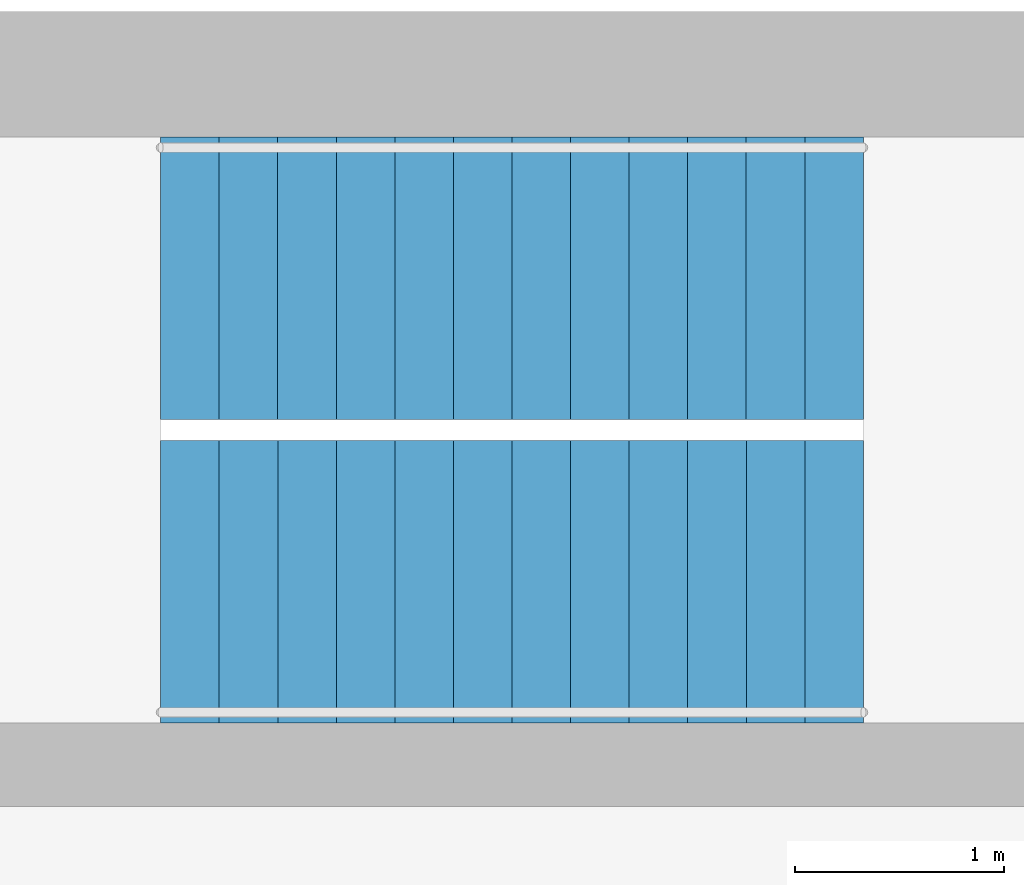
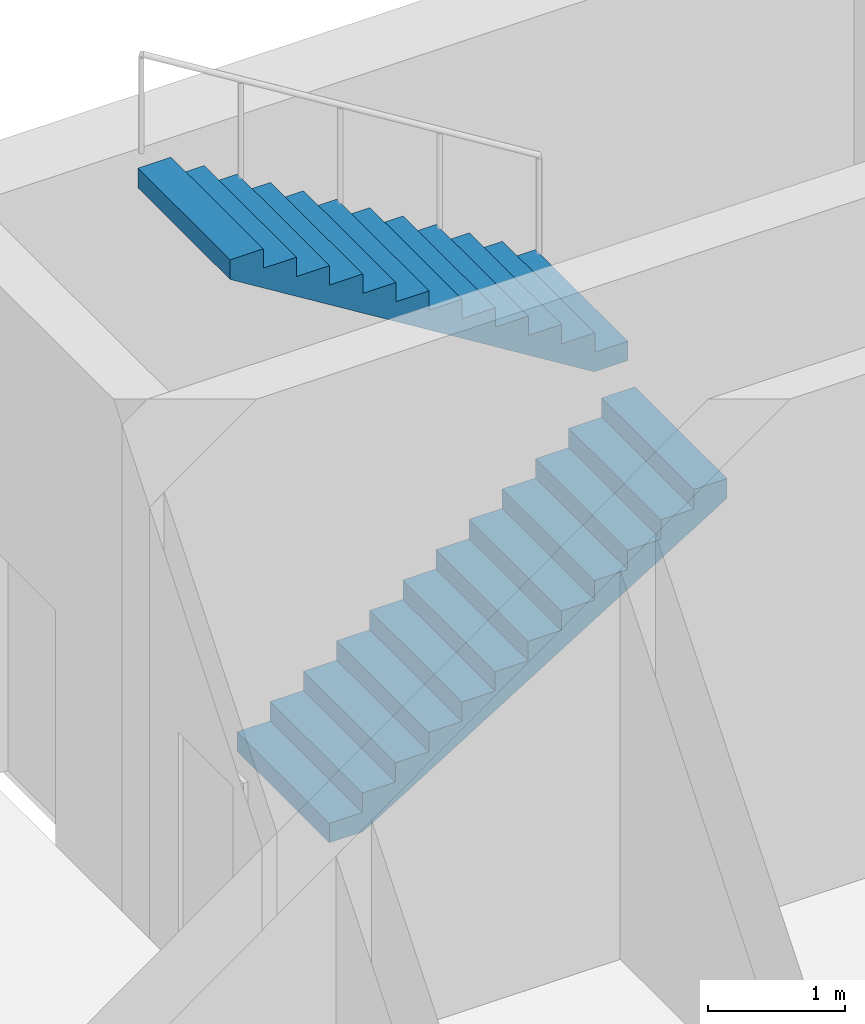
# One storey, part 3 of 4: 2 stair flights, 1 element without a shape of its own.
"""IFC4 building model written with IfcOpenShell, lengths in metres."""

from ifc_helpers import new_model, si_unit, direction, frame, origin, place, context, subcontext, project, spatial, polyline, outline, extrude, material, type_object, element, aggregate, save


model = new_model("IFC4")

# Units and contexts
model_context = context("Model", 3, precision=1e-05, world=origin(), true_north=direction((0.0, 1.0)))
body_context = subcontext(model_context, "Body", "Model", "MODEL_VIEW")
ifc_project = project(units=[si_unit("LENGTHUNIT", "METRE"), si_unit("AREAUNIT", "SQUARE_METRE"), si_unit("VOLUMEUNIT", "CUBIC_METRE"), si_unit("PLANEANGLEUNIT", "RADIAN"), si_unit("MASSUNIT", "GRAM", prefix="KILO")], contexts=[model_context])

# Site, building, storey
site_placement = place(None, origin())
site = spatial("IfcSite", under=ifc_project, at=site_placement, CompositionType="ELEMENT")
building_placement = place(site_placement, origin())
building = spatial("IfcBuilding", under=site, at=building_placement, Name="Skarvind Civic Tower", CompositionType="ELEMENT")
storey_placement = place(building_placement, frame((0.0, 0.0, 286.5)))
storey = spatial("IfcBuildingStorey", under=building, at=storey_placement, Name="L68", CompositionType="ELEMENT", Elevation=286.5)

# Stair, stair flights
ifc_material = material(Name="Concrete C40/50", Category="concrete")
stair_type = type_object("IfcStairType", Name="Exit stair, half-turn, concrete", PredefinedType="HALF_TURN_STAIR", material=ifc_material)
stair_placement = place(storey_placement, origin())
stair = element("IfcStair", 1, at=stair_placement, inside=storey, type_object=stair_type, Name="Exit stair C1S", PredefinedType="HALF_TURN_STAIR")
stair_flight_type = type_object("IfcStairFlightType", Name="Stair flight, concrete", PredefinedType="STRAIGHT", material=ifc_material)
stair_flight_1_placement = place(storey_placement, frame((101.35009765625, 136.27490234375, 0.0), z_axis=(0.0, 0.0, 1.0), x_axis=(1.0, 0.0, 0.0)))
stair_flight_1 = element("IfcStairFlight", 2, at=stair_flight_1_placement, type_object=stair_flight_type, Name="ST-C1S flight 1", NumberOfRisers=13, NumberOfTreads=12, PredefinedType="STRAIGHT", RiserHeight=0.173076923, TreadLength=0.28, context=body_context, shape_type="SweptSolid", body=[
    extrude(outline(polyline([(0.0, 0.0), (0.0, 0.173095703125), (0.280029296875, 0.173095703125), (0.280029296875, 0.34619140625), (0.56005859375, 0.34619140625), (0.56005859375, 0.519287109375), (0.840087890625, 0.519287109375), (0.840087890625, 0.6923828125), (1.1201171875, 0.6923828125), (1.1201171875, 0.865478515625), (1.39990234375, 0.865478515625), (1.39990234375, 1.03857421875), (1.679931640625, 1.03857421875), (1.679931640625, 1.21142578125), (1.9599609375, 1.21142578125), (1.9599609375, 1.384521484375), (2.239990234375, 1.384521484375), (2.239990234375, 1.5576171875), (2.52001953125, 1.5576171875), (2.52001953125, 1.730712890625), (2.800048828125, 1.730712890625), (2.800048828125, 1.90380859375), (3.080078125, 1.90380859375), (3.080078125, 2.076904296875), (3.360107421875, 2.076904296875), (3.360107421875, 2.25), (3.360107421875, 1.900634765625), (0.28515625, 0.0), (0.0, 0.0)])), frame((0.0, 0.675048828125, 0.0), z_axis=(0.0, -1.0, 0.0), x_axis=(1.0, 0.0, 0.0)), (0.0, 0.0, 1.0), 1.35009765625),
])
stair_flight_2_placement = place(storey_placement, frame((104.7099609375, 137.72509765625, 2.25), z_axis=(0.0, 0.0, 1.0), x_axis=(-1.0, 0.0, 0.0)))
stair_flight_2 = element("IfcStairFlight", 3, at=stair_flight_2_placement, type_object=stair_flight_type, Name="ST-C1S flight 2", NumberOfRisers=13, NumberOfTreads=12, PredefinedType="STRAIGHT", RiserHeight=0.173076923, TreadLength=0.28, context=body_context, shape_type="SweptSolid", body=[
    extrude(outline(polyline([(0.0, 0.0), (0.0, 0.173095703125), (0.280029296875, 0.173095703125), (0.280029296875, 0.34619140625), (0.56005859375, 0.34619140625), (0.56005859375, 0.519287109375), (0.840087890625, 0.519287109375), (0.840087890625, 0.6923828125), (1.1201171875, 0.6923828125), (1.1201171875, 0.865478515625), (1.39990234375, 0.865478515625), (1.39990234375, 1.03857421875), (1.679931640625, 1.03857421875), (1.679931640625, 1.21142578125), (1.9599609375, 1.21142578125), (1.9599609375, 1.384521484375), (2.239990234375, 1.384521484375), (2.239990234375, 1.5576171875), (2.52001953125, 1.5576171875), (2.52001953125, 1.730712890625), (2.800048828125, 1.730712890625), (2.800048828125, 1.90380859375), (3.080078125, 1.90380859375), (3.080078125, 2.076904296875), (3.360107421875, 2.076904296875), (3.360107421875, 2.25), (3.360107421875, 1.900634765625), (0.28515625, 0.0), (0.0, 0.0)])), frame((0.0, 0.675048828125, 0.0), z_axis=(0.0, -1.0, 0.0), x_axis=(1.0, 0.0, 0.0)), (0.0, 0.0, 1.0), 1.35009765625),
])
aggregate(stair, [stair_flight_1, stair_flight_2])

save(model, "model.ifc")
